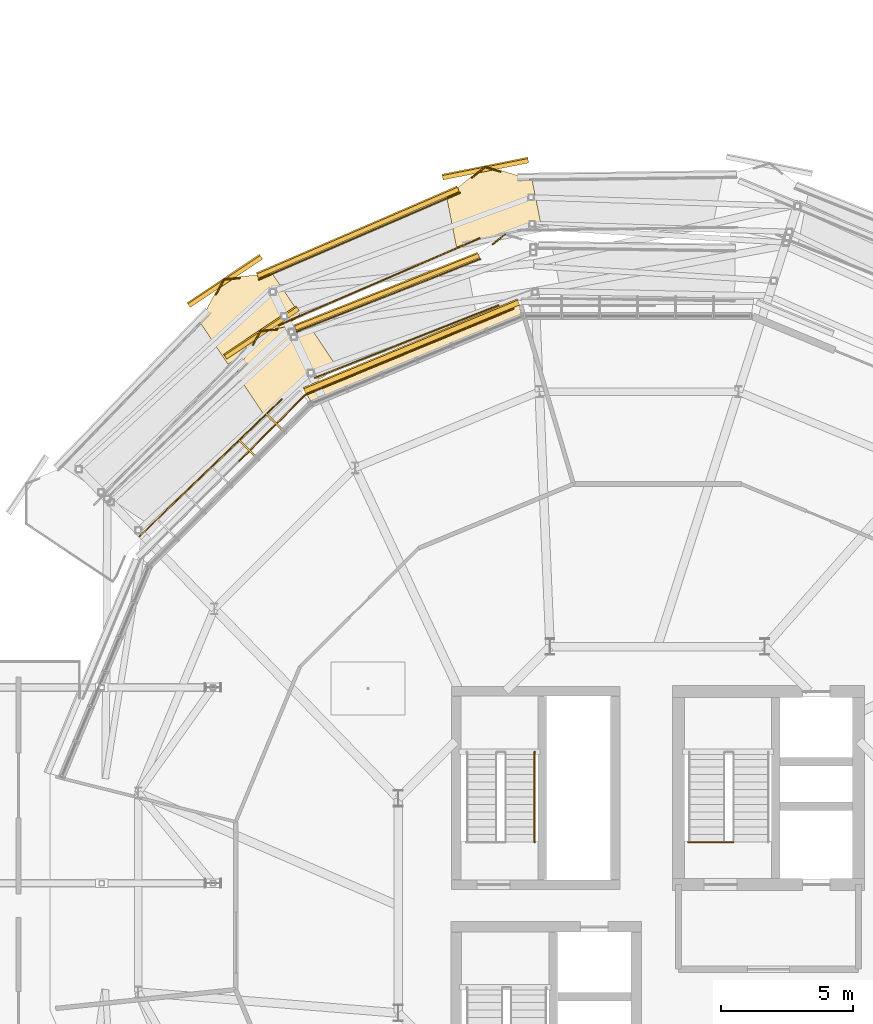
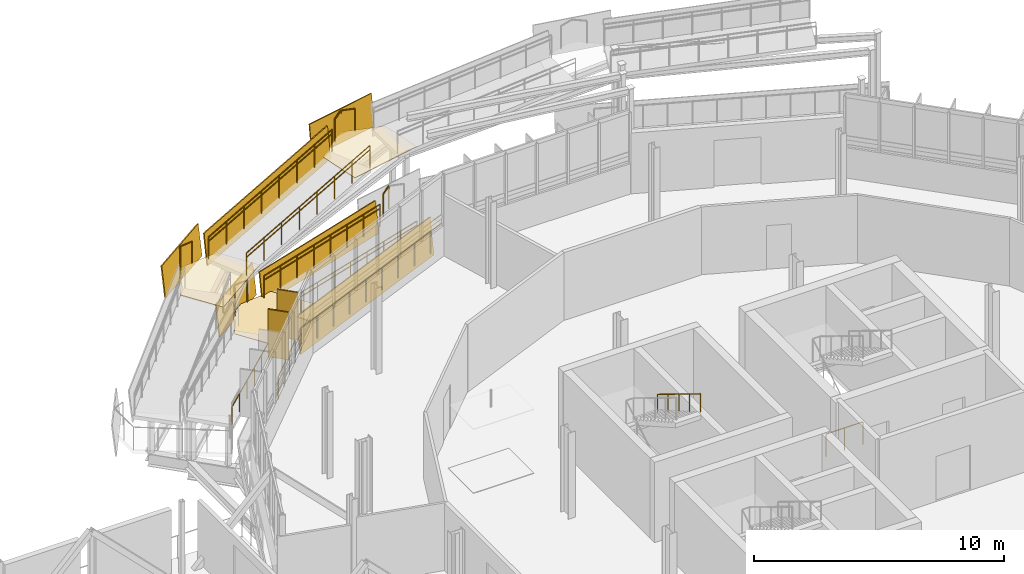
# One storey, part 103 of 107: 24 railings, 10 coverings, 2 shading devices.
"""IFC4 building model written with IfcOpenShell, lengths in metres."""

from ifc_helpers import new_model, si_unit, derived_unit, direction, frame, origin, origin_2d, place, context, subcontext, project, spatial, polyline, rectangle, circle, outline, extrude, material, layer, layer_set, type_object, element, save


model = new_model("IFC4")

# Units and contexts
model_context = context("Model", 3, precision=1e-05, world=origin(), true_north=direction((0.0, 1.0)))
body_context = subcontext(model_context, "Body", "Model", "MODEL_VIEW")
ifc_project = project(units=[si_unit("LENGTHUNIT", "METRE"), si_unit("AREAUNIT", "SQUARE_METRE"), si_unit("VOLUMEUNIT", "CUBIC_METRE"), si_unit("PLANEANGLEUNIT", "RADIAN"), si_unit("MASSUNIT", "GRAM", prefix="KILO"), derived_unit("THERMALTRANSMITTANCEUNIT", [(si_unit("MASSUNIT", "GRAM", prefix="KILO"), 1), (si_unit("TIMEUNIT", "SECOND"), -3), (si_unit("THERMODYNAMICTEMPERATUREUNIT", "KELVIN"), -1)])], contexts=[model_context])

# Site, building, storey
site_placement = place(None, origin())
site = spatial("IfcSite", under=ifc_project, at=site_placement, CompositionType="ELEMENT")
building_placement = place(site_placement, origin())
building = spatial("IfcBuilding", under=site, at=building_placement, Name="Makaiwela Harbour Ferry Terminal", CompositionType="ELEMENT")
storey_placement = place(building_placement, frame((0.0, 0.0, 9.60009765625)))
storey = spatial("IfcBuildingStorey", under=building, at=storey_placement, Name="L02", CompositionType="ELEMENT", Elevation=9.60009765625)

# Coverings
ifc_material_1 = material(Name="White glazed marine ceramic rainscreen tile", Category="masonry")
ifc_layer_1 = layer(ifc_material_1, 0.054931640625)
ifc_layer_set_1 = layer_set([ifc_layer_1], Name="White glazed marine ceramic rainscreen tile")
covering_type_1 = type_object("IfcCoveringType", Name="ENV-CLD-CERAMIC", PredefinedType="CLADDING", material=ifc_layer_set_1)
covering_1_placement = place(storey_placement, frame((32.594970703125, 90.3076171875, -0.239990234375), z_axis=(0.380393939272, -0.918368568839, 0.109085391934), x_axis=(-0.923881967269, -0.382677554288, 5.78392e-07)))
element("IfcCovering", 1, at=covering_1_placement, inside=storey, type_object=covering_type_1, Name="Ceramic Spandrel Facet CLD-0051", PredefinedType="CLADDING", context=body_context, shape_type="SweptSolid", body=[
    extrude(outline(polyline([(0.0, 0.0), (8.757662857655045, 5.551115123125783e-17), (8.75748688879674, -1.770570789768953), (4.958826261080342e-05, -1.7705809811751585), (0.0, 0.0)])), origin(), (0.0, 0.0, -1.0), 0.054931640625),
])
covering_2_placement = place(storey_placement, frame((0.0, 0.0, 1.47998046875)))
element("IfcCovering", 2, at=covering_2_placement, inside=storey, type_object=covering_type_1, Name="Ceramic Ring Sill Cap CLD-0052", PredefinedType="CLADDING", context=body_context, shape_type="SweptSolid", body=[
    extrude(outline(polyline([(32.52099609375, 90.486083984375), (24.43017578125, 87.134765625), (24.743896484375, 86.580078125), (32.69140625, 89.871826171875), (32.52099609375, 90.486083984375)])), origin(), (0.0, 0.0, 1.0), 0.054931640625),
])
covering_3_placement = place(storey_placement, frame((31.08251953125, 92.093505859375, 0.260009765625), z_axis=(0.373303520821, -0.921178500573, 0.109884718796), x_axis=(-0.92709995519, -0.366139907699, 0.080170075946)))
element("IfcCovering", 3, at=covering_3_placement, inside=storey, type_object=covering_type_1, Name="Coiled Ramp Ceramic Fascia CLD-R0039", PredefinedType="CLADDING", context=body_context, shape_type="SweptSolid", body=[
    extrude(outline(polyline([(0.0, 0.0), (7.482434547766983, 0.0), (7.604123644598643, -1.5244180263675333), (0.12158013443330902, -1.5242083330145613), (0.0, 0.0)])), origin(), (0.0, 0.0, -1.0), 0.054931640625),
])
for number, where, z_axis, x_axis, name in (
    (4, (24.2685546875, 90.08935546875, 0.85986328125), (0.552193027117, -0.826432842635, 0.109961890748), (-0.831474863772, -0.55556237355, -3.361495e-06), "Coiled Ramp Ceramic Fascia CLD-R0040"),
    (5, (22.885986328125, 92.0390625, 2.059814453125), (0.552193027117, -0.826432842635, 0.109961890748), (-0.831474863772, -0.55556237355, -3.361495e-06), "Coiled Ramp Ceramic Fascia CLD-R0044"),
):
    element("IfcCovering", number, at=place(storey_placement, frame(where, z_axis=z_axis, x_axis=x_axis)), inside=storey, type_object=covering_type_1, Name=name, PredefinedType="CLADDING", context=body_context, shape_type="SweptSolid", body=[
        extrude(outline(polyline([(0.0, 0.0), (3.300102397287792, 2.7755575615628914e-17), (3.300126006690987, -1.52930462753456), (0.00015924474830051368, -1.529282306076568), (0.0, 0.0)])), origin(), (0.0, 0.0, -1.0), 0.054931640625),
    ])
covering_4_placement = place(storey_placement, frame((22.72216796875, 91.319091796875, 2.059814453125), z_axis=(0.386970710269, -0.915501624416, 0.11004746742), x_axis=(0.915527801187, 0.395684982895, 0.072403311841)))
element("IfcCovering", 6, at=covering_4_placement, inside=storey, type_object=covering_type_1, Name="Coiled Ramp Ceramic Fascia CLD-R0045", PredefinedType="CLADDING", context=body_context, shape_type="SweptSolid", body=[
    extrude(outline(polyline([(0.0, 0.0), (8.288262525492915, 0.0), (8.398446247164728, 1.525334102071048), (0.11018372167181326, 1.5253341020710482), (0.0, 0.0)])), origin(), (0.0, 0.0, -1.0), 0.054931640625),
])
covering_5_placement = place(storey_placement, frame((32.939208984375, 95.674072265625, 2.659912109375), z_axis=(0.193910717395, -0.974848077551, 0.109862911737), x_axis=(-0.98078501504, -0.195091656081, 0.0)))
element("IfcCovering", 7, at=covering_5_placement, inside=storey, type_object=covering_type_1, Name="Coiled Ramp Ceramic Fascia CLD-R0046", PredefinedType="CLADDING", context=body_context, shape_type="SweptSolid", body=[
    extrude(outline(polyline([(0.0, 0.0), (3.299981357781899, -1.3877787807814457e-17), (3.2999174720790077, -1.52927662591745), (-6.388570289143913e-05, -1.52927662591745), (0.0, 0.0)])), origin(), (0.0, 0.0, -1.0), 0.054931640625),
])

# Shading devices
ifc_material_2 = material(Name="Thermally modified Accoya timber and anodised aluminium", Category="wood")
ifc_layer_2 = layer(ifc_material_2, 0.06005859375)
ifc_layer_set_2 = layer_set([ifc_layer_2], Name="Thermally modified Accoya timber and anodised aluminium")
shading_device_type = type_object("IfcShadingDeviceType", Name="ENV-FIN-850", PredefinedType="USERDEFINED", material=ifc_layer_set_2)
for number, where, z_axis, x_axis, name in (
    (8, (23.301025390625, 85.9140625, 1.609375), (0.0, 0.0, 1.0), (-0.707106781187, 0.707106781187, 0.0), "Vertical Solar Fin SFN-0051"),
    (9, (22.287109375, 84.900390625, 1.609375), (0.0, 0.0, 1.0), (-0.707106781187, 0.707106781187, 0.0), "Vertical Solar Fin SFN-0052"),
):
    element("IfcShadingDevice", number, at=place(storey_placement, frame(where, z_axis=z_axis, x_axis=x_axis)), inside=storey, type_object=shading_device_type, Name=name, ObjectType="SOLAR FIN", PredefinedType="USERDEFINED", context=body_context, shape_type="SweptSolid", body=[
        extrude(rectangle(XDim=0.85009765625, YDim=0.06005859375, at=origin_2d()), origin(), (0.0, 0.0, 1.0), 2.320068359375),
    ])

# Coverings
ifc_material_3 = material(Name="Honed coral-aggregate epoxy terrazzo flooring", Category="concrete")
ifc_layer_3 = layer(ifc_material_3, 0.02490234375)
ifc_layer_set_3 = layer_set([ifc_layer_3], Name="Honed coral-aggregate epoxy terrazzo flooring")
covering_type_2 = type_object("IfcCoveringType", Name="INT-COV-FLR", PredefinedType="FLOORING", material=ifc_layer_set_3)
covering_6_placement = place(storey_placement, frame((0.0, 0.0, 1.199951171875)))
element("IfcCovering", 10, at=covering_6_placement, inside=storey, type_object=covering_type_2, Name="Ramp Landing Terrazzo RMP-COIL-L02-LI2", PredefinedType="FLOORING", context=body_context, shape_type="SweptSolid", body=[
    extrude(outline(polyline([(23.53076171875, 86.485107421875), (24.226806640625, 87.180908203125), (24.226806640625, 87.18115234375), (24.22705078125, 87.181396484375), (24.227294921875, 87.181396484375), (24.227294921875, 87.181396484375), (25.13671875, 87.55810546875), (25.705810546875, 87.938232421875), (24.6279296875, 89.551513671875), (22.772705078125, 89.358154296875), (21.884033203125, 87.718017578125), (22.9619140625, 86.10498046875), (23.53076171875, 86.485107421875)])), origin(), (0.0, 0.0, 1.0), 0.02490234375),
])
covering_7_placement = place(storey_placement, frame((0.0, 0.0, 2.39990234375)))
element("IfcCovering", 11, at=covering_7_placement, inside=storey, type_object=covering_type_2, Name="Ramp Landing Terrazzo RMP-COIL-L02-LO1", PredefinedType="FLOORING", context=body_context, shape_type="SweptSolid", body=[
    extrude(outline(polyline([(24.317626953125, 89.896240234375), (23.245361328125, 91.5009765625), (21.39013671875, 91.3076171875), (20.50146484375, 89.66748046875), (21.57373046875, 88.06298828125), (24.317626953125, 89.896240234375)])), origin(), (0.0, 0.0, 1.0), 0.02490234375),
])
covering_8_placement = place(storey_placement, frame((0.0, 0.0, 3.0)))
element("IfcCovering", 12, at=covering_8_placement, inside=storey, type_object=covering_type_2, Name="Ramp Landing Terrazzo RMP-COIL-L02-LO2", PredefinedType="FLOORING", context=body_context, shape_type="SweptSolid", body=[
    extrude(outline(polyline([(33.44189453125, 93.146484375), (33.0654296875, 95.03955078125), (31.27734375, 95.57080078125), (29.828857421875, 94.395751953125), (30.205322265625, 92.502685546875), (33.44189453125, 93.146484375)])), origin(), (0.0, 0.0, 1.0), 0.02490234375),
])

# Railings
ifc_material_4 = material(Name="Marine grade 316L brushed stainless steel", Category="steel")
railing_type_1 = type_object("IfcRailingType", Name="INT-RL-GRD110", PredefinedType="GUARDRAIL", material=ifc_material_4)
railing_1_placement = place(storey_placement, frame((38.969970703125, 70.0, 0.0)))
element("IfcRailing", 13, at=railing_1_placement, inside=storey, type_object=railing_type_1, Name="Stair top well guardrail RL-0006", PredefinedType="GUARDRAIL", context=body_context, shape_type="SweptSolid", body=[
    extrude(circle(Radius=0.02392578125, at=origin_2d()), frame((0.0, 0.0, 1.09619140625), z_axis=(1.0, 0.0, 0.0), x_axis=(0.0, 1.0, 0.0)), (0.0, 0.0, 1.0), 1.696044921875),
    extrude(circle(Radius=0.02099609375, at=origin_2d()), origin(), (0.0, 0.0, 1.0), 1.072021484375),
    extrude(circle(Radius=0.02099609375, at=origin_2d()), frame((0.84814453125, 0.0, 0.0)), (0.0, 0.0, 1.0), 1.072021484375),
    extrude(circle(Radius=0.02099609375, at=origin_2d()), frame((1.696044921875, 0.0, 0.0)), (0.0, 0.0, 1.0), 1.072021484375),
])
for number, where, name in (
    (14, (31.794189453125, 90.2919921875, 0.599853515625), "Ramp guardrail RL-0169"),
    (15, (31.103515625, 92.04052734375, 0.599853515625), "Ramp guardrail RL-0171"),
):
    element("IfcRailing", number, at=place(storey_placement, frame(where)), inside=storey, type_object=railing_type_1, Name=name, PredefinedType="GUARDRAIL", context=body_context, shape_type="SweptSolid", body=[
        extrude(circle(Radius=0.02392578125, at=origin_2d()), frame((0.0, 0.0, 1.09619140625), z_axis=(-0.927092733323, -0.366151708783, 0.080199688129), x_axis=(0.367334961916, -0.930088719292, 0.0)), (0.0, 0.0, 1.0), 7.482421875),
        extrude(circle(Radius=0.02099609375, at=origin_2d()), origin(), (0.0, 0.0, 1.0), 1.072021484375),
        extrude(circle(Radius=0.02099609375, at=origin_2d()), frame((-0.990966796875, -0.391357421875, 0.085693359375)), (0.0, 0.0, 1.0), 1.072021484375),
        extrude(circle(Radius=0.02099609375, at=origin_2d()), frame((-1.98193359375, -0.78271484375, 0.17138671875)), (0.0, 0.0, 1.0), 1.072021484375),
        extrude(circle(Radius=0.02099609375, at=origin_2d()), frame((-2.972900390625, -1.174072265625, 0.257080078125)), (0.0, 0.0, 1.0), 1.072021484375),
        extrude(circle(Radius=0.02099609375, at=origin_2d()), frame((-3.964111328125, -1.565673828125, 0.343017578125)), (0.0, 0.0, 1.0), 1.072021484375),
        extrude(circle(Radius=0.02099609375, at=origin_2d()), frame((-4.955078125, -1.95703125, 0.4287109375)), (0.0, 0.0, 1.0), 1.072021484375),
        extrude(circle(Radius=0.02099609375, at=origin_2d()), frame((-5.946044921875, -2.348388671875, 0.514404296875)), (0.0, 0.0, 1.0), 1.072021484375),
        extrude(circle(Radius=0.02099609375, at=origin_2d()), frame((-6.93701171875, -2.73974609375, 0.60009765625)), (0.0, 0.0, 1.0), 1.072021484375),
    ])
railing_2_placement = place(storey_placement, frame((23.490478515625, 89.541259765625, 2.39990234375)))
element("IfcRailing", 16, at=railing_2_placement, inside=storey, type_object=railing_type_1, Name="Ramp guardrail RL-0181", PredefinedType="GUARDRAIL", context=body_context, shape_type="SweptSolid", body=[
    extrude(circle(Radius=0.02392578125, at=origin_2d()), frame((0.0, 0.0, 1.09619140625), z_axis=(0.915532567266, 0.395674312338, 0.072401359319), x_axis=(-0.396715461206, 0.917941633678, 0.0)), (0.0, 0.0, 1.0), 8.28857421875),
    extrude(circle(Radius=0.02099609375, at=origin_2d()), origin(), (0.0, 0.0, 1.0), 1.072021484375),
    extrude(circle(Radius=0.02099609375, at=origin_2d()), frame((1.083984375, 0.468505859375, 0.085693359375)), (0.0, 0.0, 1.0), 1.072021484375),
    extrude(circle(Radius=0.02099609375, at=origin_2d()), frame((2.168212890625, 0.93701171875, 0.17138671875)), (0.0, 0.0, 1.0), 1.072021484375),
    extrude(circle(Radius=0.02099609375, at=origin_2d()), frame((3.252197265625, 1.405517578125, 0.257080078125)), (0.0, 0.0, 1.0), 1.072021484375),
    extrude(circle(Radius=0.02099609375, at=origin_2d()), frame((4.336181640625, 1.8740234375, 0.343017578125)), (0.0, 0.0, 1.0), 1.072021484375),
    extrude(circle(Radius=0.02099609375, at=origin_2d()), frame((5.420166015625, 2.342529296875, 0.4287109375)), (0.0, 0.0, 1.0), 1.072021484375),
    extrude(circle(Radius=0.02099609375, at=origin_2d()), frame((6.50439453125, 2.81103515625, 0.514404296875)), (0.0, 0.0, 1.0), 1.072021484375),
    extrude(circle(Radius=0.02099609375, at=origin_2d()), frame((7.58837890625, 3.279541015625, 0.60009765625)), (0.0, 0.0, 1.0), 1.072021484375),
])
railing_3_placement = place(storey_placement, frame((22.74462890625, 91.26708984375, 2.39990234375)))
element("IfcRailing", 17, at=railing_3_placement, inside=storey, type_object=railing_type_1, Name="Ramp guardrail RL-0183", PredefinedType="GUARDRAIL", context=body_context, shape_type="SweptSolid", body=[
    extrude(circle(Radius=0.02392578125, at=origin_2d()), frame((0.0, 0.0, 1.09619140625), z_axis=(0.915543237352, 0.395649467992, 0.072402203121), x_axis=(-0.396690575849, 0.917952388217, 0.0)), (0.0, 0.0, 1.0), 8.288330078125),
    extrude(circle(Radius=0.02099609375, at=origin_2d()), origin(), (0.0, 0.0, 1.0), 1.072021484375),
    extrude(circle(Radius=0.02099609375, at=origin_2d()), frame((1.083984375, 0.468505859375, 0.085693359375)), (0.0, 0.0, 1.0), 1.072021484375),
    extrude(circle(Radius=0.02099609375, at=origin_2d()), frame((2.168212890625, 0.93701171875, 0.17138671875)), (0.0, 0.0, 1.0), 1.072021484375),
    extrude(circle(Radius=0.02099609375, at=origin_2d()), frame((3.252197265625, 1.405517578125, 0.257080078125)), (0.0, 0.0, 1.0), 1.072021484375),
    extrude(circle(Radius=0.02099609375, at=origin_2d()), frame((4.336181640625, 1.873779296875, 0.343017578125)), (0.0, 0.0, 1.0), 1.072021484375),
    extrude(circle(Radius=0.02099609375, at=origin_2d()), frame((5.420166015625, 2.34228515625, 0.4287109375)), (0.0, 0.0, 1.0), 1.072021484375),
    extrude(circle(Radius=0.02099609375, at=origin_2d()), frame((6.50439453125, 2.810791015625, 0.514404296875)), (0.0, 0.0, 1.0), 1.072021484375),
    extrude(circle(Radius=0.02099609375, at=origin_2d()), frame((7.58837890625, 3.279296875, 0.60009765625)), (0.0, 0.0, 1.0), 1.072021484375),
])
railing_4_placement = place(storey_placement, frame((21.997314453125, 84.41015625, 0.0)))
element("IfcRailing", 18, at=railing_4_placement, inside=storey, type_object=railing_type_1, Name="Deck edge guardrail RL-0459", PredefinedType="GUARDRAIL", context=body_context, shape_type="SweptSolid", body=[
    extrude(circle(Radius=0.02392578125, at=origin_2d()), frame((0.0, 0.0, 1.09619140625), z_axis=(0.707037568954, 0.707175986645, 0.0), x_axis=(-0.707175986645, 0.707037568954, 0.0)), (0.0, 0.0, 1.0), 1.763916015625),
    extrude(circle(Radius=0.02099609375, at=origin_2d()), origin(), (0.0, 0.0, 1.0), 1.072021484375),
    extrude(circle(Radius=0.02099609375, at=origin_2d()), frame((0.62353515625, 0.62353515625, 0.0)), (0.0, 0.0, 1.0), 1.072021484375),
    extrude(circle(Radius=0.02099609375, at=origin_2d()), frame((1.2470703125, 1.247314453125, 0.0)), (0.0, 0.0, 1.0), 1.072021484375),
])
railing_5_placement = place(storey_placement, frame((23.244384765625, 85.657470703125, 0.0)))
element("IfcRailing", 19, at=railing_5_placement, inside=storey, type_object=railing_type_1, Name="Deck edge guardrail RL-0460", PredefinedType="GUARDRAIL", context=body_context, shape_type="SweptSolid", body=[
    extrude(circle(Radius=0.02392578125, at=origin_2d()), frame((0.0, 0.0, 1.09619140625), z_axis=(0.707106781187, 0.707106781187, 0.0), x_axis=(-0.707106781187, 0.707106781187, 0.0)), (0.0, 0.0, 1.0), 1.763916015625),
    extrude(circle(Radius=0.02099609375, at=origin_2d()), origin(), (0.0, 0.0, 1.0), 1.072021484375),
    extrude(circle(Radius=0.02099609375, at=origin_2d()), frame((0.62353515625, 0.62353515625, 0.0)), (0.0, 0.0, 1.0), 1.072021484375),
    extrude(circle(Radius=0.02099609375, at=origin_2d()), frame((1.247314453125, 1.247314453125, 0.0)), (0.0, 0.0, 1.0), 1.072021484375),
])
for number, where, name in (
    (20, (24.49169921875, 86.90478515625, 0.0), "Deck edge guardrail RL-0461"),
    (21, (26.455810546875, 87.71826171875, 0.0), "Deck edge guardrail RL-0462"),
):
    element("IfcRailing", number, at=place(storey_placement, frame(where)), inside=storey, type_object=railing_type_1, Name=name, PredefinedType="GUARDRAIL", context=body_context, shape_type="SweptSolid", body=[
        extrude(circle(Radius=0.02392578125, at=origin_2d()), frame((0.0, 0.0, 1.09619140625), z_axis=(0.923893665929, 0.382649309494, 0.0), x_axis=(-0.382649309494, 0.923893665929, 0.0)), (0.0, 0.0, 1.0), 2.1259765625),
        extrude(circle(Radius=0.02099609375, at=origin_2d()), origin(), (0.0, 0.0, 1.0), 1.072021484375),
        extrude(circle(Radius=0.02099609375, at=origin_2d()), frame((0.98193359375, 0.40673828125, 0.0)), (0.0, 0.0, 1.0), 1.072021484375),
        extrude(circle(Radius=0.02099609375, at=origin_2d()), frame((1.964111328125, 0.8134765625, 0.0)), (0.0, 0.0, 1.0), 1.072021484375),
    ])
railing_6_placement = place(storey_placement, frame((28.419921875, 88.53173828125, 0.0)))
element("IfcRailing", 22, at=railing_6_placement, inside=storey, type_object=railing_type_1, Name="Deck edge guardrail RL-0463", PredefinedType="GUARDRAIL", context=body_context, shape_type="SweptSolid", body=[
    extrude(circle(Radius=0.02392578125, at=origin_2d()), frame((0.0, 0.0, 1.09619140625), z_axis=(0.923876848216, 0.382689912762, 0.0), x_axis=(-0.382689912762, 0.923876848216, 0.0)), (0.0, 0.0, 1.0), 2.125732421875),
    extrude(circle(Radius=0.02099609375, at=origin_2d()), origin(), (0.0, 0.0, 1.0), 1.072021484375),
    extrude(circle(Radius=0.02099609375, at=origin_2d()), frame((0.98193359375, 0.40673828125, 0.0)), (0.0, 0.0, 1.0), 1.072021484375),
    extrude(circle(Radius=0.02099609375, at=origin_2d()), frame((1.9638671875, 0.8134765625, 0.0)), (0.0, 0.0, 1.0), 1.072021484375),
])
railing_7_placement = place(storey_placement, frame((30.3837890625, 89.34521484375, 0.0)))
element("IfcRailing", 23, at=railing_7_placement, inside=storey, type_object=railing_type_1, Name="Deck edge guardrail RL-0464", PredefinedType="GUARDRAIL", context=body_context, shape_type="SweptSolid", body=[
    extrude(circle(Radius=0.02392578125, at=origin_2d()), frame((0.0, 0.0, 1.09619140625), z_axis=(0.923893665929, 0.382649309494, 0.0), x_axis=(-0.382649309494, 0.923893665929, 0.0)), (0.0, 0.0, 1.0), 2.1259765625),
    extrude(circle(Radius=0.02099609375, at=origin_2d()), origin(), (0.0, 0.0, 1.0), 1.072021484375),
    extrude(circle(Radius=0.02099609375, at=origin_2d()), frame((0.98193359375, 0.40673828125, 0.0)), (0.0, 0.0, 1.0), 1.072021484375),
    extrude(circle(Radius=0.02099609375, at=origin_2d()), frame((1.964111328125, 0.8134765625, 0.0)), (0.0, 0.0, 1.0), 1.072021484375),
])
railing_8_placement = place(storey_placement, frame((31.578369140625, 92.599853515625, 0.599853515625)))
element("IfcRailing", 24, at=railing_8_placement, inside=storey, type_object=railing_type_1, Name="Deck edge guardrail RL-0617", PredefinedType="GUARDRAIL", context=body_context, shape_type="SweptSolid", body=[
    extrude(circle(Radius=0.02392578125, at=origin_2d()), frame((0.0, 0.0, 1.09619140625), z_axis=(0.776539324431, 0.630068788, 0.0), x_axis=(-0.630068788, 0.776539324431, 0.0)), (0.0, 0.0, 1.0), 0.5966796875),
    extrude(circle(Radius=0.02099609375, at=origin_2d()), origin(), (0.0, 0.0, 1.0), 1.072021484375),
    extrude(circle(Radius=0.02099609375, at=origin_2d()), frame((0.46337890625, 0.3759765625, 0.0)), (0.0, 0.0, 1.0), 1.072021484375),
])
railing_9_placement = place(storey_placement, frame((22.517578125, 88.792724609375, 1.199951171875)))
element("IfcRailing", 25, at=railing_9_placement, inside=storey, type_object=railing_type_1, Name="Deck edge guardrail RL-0619", PredefinedType="GUARDRAIL", context=body_context, shape_type="SweptSolid", body=[
    extrude(circle(Radius=0.02392578125, at=origin_2d()), frame((0.0, 0.0, 1.09619140625), z_axis=(0.476031948168, 0.879427987003, 0.0), x_axis=(-0.879427987003, 0.476031948168, 0.0)), (0.0, 0.0, 1.0), 0.594970703125),
    extrude(circle(Radius=0.02099609375, at=origin_2d()), origin(), (0.0, 0.0, 1.0), 1.072021484375),
    extrude(circle(Radius=0.02099609375, at=origin_2d()), frame((0.283203125, 0.523193359375, 0.0)), (0.0, 0.0, 1.0), 1.072021484375),
])
railing_10_placement = place(storey_placement, frame((22.80078125, 89.31591796875, 1.199951171875)))
element("IfcRailing", 26, at=railing_10_placement, inside=storey, type_object=railing_type_1, Name="Deck edge guardrail RL-0620", PredefinedType="GUARDRAIL", context=body_context, shape_type="SweptSolid", body=[
    extrude(circle(Radius=0.02392578125, at=origin_2d()), frame((0.0, 0.0, 1.09619140625), z_axis=(0.994628244551, 0.103511618385, 0.0), x_axis=(-0.103511618385, 0.994628244551, 0.0)), (0.0, 0.0, 1.0), 0.63916015625),
    extrude(circle(Radius=0.02099609375, at=origin_2d()), origin(), (0.0, 0.0, 1.0), 1.072021484375),
    extrude(circle(Radius=0.02099609375, at=origin_2d()), frame((0.6357421875, 0.066162109375, 0.0)), (0.0, 0.0, 1.0), 1.072021484375),
])
railing_11_placement = place(storey_placement, frame((21.114013671875, 90.703369140625, 2.39990234375)))
element("IfcRailing", 27, at=railing_11_placement, inside=storey, type_object=railing_type_1, Name="Deck edge guardrail RL-0627", PredefinedType="GUARDRAIL", context=body_context, shape_type="SweptSolid", body=[
    extrude(circle(Radius=0.02392578125, at=origin_2d()), frame((0.0, 0.0, 1.09619140625), z_axis=(0.476307758046, 0.879278635943, 0.0), x_axis=(-0.879278635943, 0.476307758046, 0.0)), (0.0, 0.0, 1.0), 0.63916015625),
    extrude(circle(Radius=0.02099609375, at=origin_2d()), origin(), (0.0, 0.0, 1.0), 1.072021484375),
    extrude(circle(Radius=0.02099609375, at=origin_2d()), frame((0.304443359375, 0.56201171875, 0.0)), (0.0, 0.0, 1.0), 1.072021484375),
])
railing_12_placement = place(storey_placement, frame((21.41845703125, 91.265380859375, 2.39990234375)))
element("IfcRailing", 28, at=railing_12_placement, inside=storey, type_object=railing_type_1, Name="Deck edge guardrail RL-0628", PredefinedType="GUARDRAIL", context=body_context, shape_type="SweptSolid", body=[
    extrude(circle(Radius=0.02392578125, at=origin_2d()), frame((0.0, 0.0, 1.09619140625), z_axis=(0.994607885203, 0.103707061922, 0.0), x_axis=(-0.103707061922, 0.994607885203, 0.0)), (0.0, 0.0, 1.0), 0.597900390625),
    extrude(circle(Radius=0.02099609375, at=origin_2d()), origin(), (0.0, 0.0, 1.0), 1.072021484375),
    extrude(circle(Radius=0.02099609375, at=origin_2d()), frame((0.5947265625, 0.06201171875, 0.0)), (0.0, 0.0, 1.0), 1.072021484375),
])
railing_13_placement = place(storey_placement, frame((30.792236328125, 95.119384765625, 3.0)))
element("IfcRailing", 29, at=railing_13_placement, inside=storey, type_object=railing_type_1, Name="Deck edge guardrail RL-0629", PredefinedType="GUARDRAIL", context=body_context, shape_type="SweptSolid", body=[
    extrude(circle(Radius=0.02392578125, at=origin_2d()), frame((0.0, 0.0, 1.09619140625), z_axis=(0.77662915087, 0.629958063699, 0.0), x_axis=(-0.629958063699, 0.77662915087, 0.0)), (0.0, 0.0, 1.0), 0.637451171875),
    extrude(circle(Radius=0.02099609375, at=origin_2d()), origin(), (0.0, 0.0, 1.0), 1.072021484375),
    extrude(circle(Radius=0.02099609375, at=origin_2d()), frame((0.4951171875, 0.401611328125, 0.0)), (0.0, 0.0, 1.0), 1.072021484375),
])
railing_14_placement = place(storey_placement, frame((31.287353515625, 95.52099609375, 3.0)))
element("IfcRailing", 30, at=railing_14_placement, inside=storey, type_object=railing_type_1, Name="Deck edge guardrail RL-0630", PredefinedType="GUARDRAIL", context=body_context, shape_type="SweptSolid", body=[
    extrude(circle(Radius=0.02392578125, at=origin_2d()), frame((0.0, 0.0, 1.09619140625), z_axis=(0.958527364218, -0.28500051236, 0.0), x_axis=(0.28500051236, 0.958527364218, 0.0)), (0.0, 0.0, 1.0), 0.601318359375),
    extrude(circle(Radius=0.02099609375, at=origin_2d()), origin(), (0.0, 0.0, 1.0), 1.072021484375),
    extrude(circle(Radius=0.02099609375, at=origin_2d()), frame((0.576416015625, -0.17138671875, 0.0)), (0.0, 0.0, 1.0), 1.072021484375),
])
railing_type_2 = type_object("IfcRailingType", Name="INT-RL-HND090", PredefinedType="HANDRAIL", material=ifc_material_4)
railing_15_placement = place(storey_placement, frame((33.159912109375, 73.419921875, 2.099853515625)))
element("IfcRailing", 31, at=railing_15_placement, inside=storey, type_object=railing_type_2, Name="Stair upper handrail RL-0052", PredefinedType="HANDRAIL", context=body_context, shape_type="SweptSolid", body=[
    extrude(circle(Radius=0.02392578125, at=origin_2d()), frame((0.0, 0.0, 0.89111328125), z_axis=(0.0, -0.852155044755, 0.523289384279), x_axis=(1.0, 0.0, 0.0)), (0.0, 0.0, 1.0), 4.01318359375),
    extrude(circle(Radius=0.02099609375, at=origin_2d()), origin(), (0.0, 0.0, 1.0), 0.866943359375),
    extrude(circle(Radius=0.02099609375, at=origin_2d()), frame((0.0, -0.85498046875, 0.52490234375)), (0.0, 0.0, 1.0), 0.866943359375),
    extrude(circle(Radius=0.02099609375, at=origin_2d()), frame((0.0, -1.7099609375, 1.050048828125)), (0.0, 0.0, 1.0), 0.866943359375),
    extrude(circle(Radius=0.02099609375, at=origin_2d()), frame((0.0, -2.56494140625, 1.5751953125)), (0.0, 0.0, 1.0), 0.866943359375),
    extrude(circle(Radius=0.02099609375, at=origin_2d()), frame((0.0, -3.419921875, 2.10009765625)), (0.0, 0.0, 1.0), 0.866943359375),
])
for number, where, name in (
    (32, (31.794189453125, 90.2919921875, 0.599853515625), "Ramp handrail RL-0170"),
    (33, (31.103515625, 92.04052734375, 0.599853515625), "Ramp handrail RL-0172"),
):
    element("IfcRailing", number, at=place(storey_placement, frame(where)), inside=storey, type_object=railing_type_2, Name=name, PredefinedType="HANDRAIL", context=body_context, shape_type="SweptSolid", body=[
        extrude(circle(Radius=0.02392578125, at=origin_2d()), frame((0.0, 0.0, 0.89111328125), z_axis=(-0.927092733323, -0.366151708783, 0.080199688129), x_axis=(0.367334961916, -0.930088719292, 0.0)), (0.0, 0.0, 1.0), 7.482421875),
        extrude(circle(Radius=0.02099609375, at=origin_2d()), origin(), (0.0, 0.0, 1.0), 0.866943359375),
        extrude(circle(Radius=0.02099609375, at=origin_2d()), frame((-0.990966796875, -0.391357421875, 0.085693359375)), (0.0, 0.0, 1.0), 0.866943359375),
        extrude(circle(Radius=0.02099609375, at=origin_2d()), frame((-1.98193359375, -0.78271484375, 0.17138671875)), (0.0, 0.0, 1.0), 0.866943359375),
        extrude(circle(Radius=0.02099609375, at=origin_2d()), frame((-2.972900390625, -1.174072265625, 0.257080078125)), (0.0, 0.0, 1.0), 0.866943359375),
        extrude(circle(Radius=0.02099609375, at=origin_2d()), frame((-3.964111328125, -1.565673828125, 0.343017578125)), (0.0, 0.0, 1.0), 0.866943359375),
        extrude(circle(Radius=0.02099609375, at=origin_2d()), frame((-4.955078125, -1.95703125, 0.4287109375)), (0.0, 0.0, 1.0), 0.866943359375),
        extrude(circle(Radius=0.02099609375, at=origin_2d()), frame((-5.946044921875, -2.348388671875, 0.514404296875)), (0.0, 0.0, 1.0), 0.866943359375),
        extrude(circle(Radius=0.02099609375, at=origin_2d()), frame((-6.93701171875, -2.73974609375, 0.60009765625)), (0.0, 0.0, 1.0), 0.866943359375),
    ])
railing_16_placement = place(storey_placement, frame((23.59716796875, 86.741455078125, 1.199951171875)))
element("IfcRailing", 34, at=railing_16_placement, inside=storey, type_object=railing_type_2, Name="Ramp handrail RL-0174", PredefinedType="HANDRAIL", context=body_context, shape_type="SweptSolid", body=[
    extrude(circle(Radius=0.02392578125, at=origin_2d()), frame((0.0, 0.0, 0.89111328125), z_axis=(-0.717373822048, -0.692064338715, 0.08013582545), x_axis=(0.69429723106, -0.719688373494, 0.0)), (0.0, 0.0, 1.0), 7.4853515625),
    extrude(circle(Radius=0.02099609375, at=origin_2d()), origin(), (0.0, 0.0, 1.0), 0.866943359375),
    extrude(circle(Radius=0.02099609375, at=origin_2d()), frame((-0.76708984375, -0.739990234375, 0.085693359375)), (0.0, 0.0, 1.0), 0.866943359375),
    extrude(circle(Radius=0.02099609375, at=origin_2d()), frame((-1.5341796875, -1.480224609375, 0.17138671875)), (0.0, 0.0, 1.0), 0.866943359375),
    extrude(circle(Radius=0.02099609375, at=origin_2d()), frame((-2.30126953125, -2.22021484375, 0.257080078125)), (0.0, 0.0, 1.0), 0.866943359375),
    extrude(circle(Radius=0.02099609375, at=origin_2d()), frame((-3.068603515625, -2.960205078125, 0.3427734375)), (0.0, 0.0, 1.0), 0.866943359375),
    extrude(circle(Radius=0.02099609375, at=origin_2d()), frame((-3.835693359375, -3.7001953125, 0.428466796875)), (0.0, 0.0, 1.0), 0.866943359375),
    extrude(circle(Radius=0.02099609375, at=origin_2d()), frame((-4.602783203125, -4.4404296875, 0.51416015625)), (0.0, 0.0, 1.0), 0.866943359375),
    extrude(circle(Radius=0.02099609375, at=origin_2d()), frame((-5.369873046875, -5.180419921875, 0.599853515625)), (0.0, 0.0, 1.0), 0.866943359375),
])
railing_17_placement = place(storey_placement, frame((23.490478515625, 89.541259765625, 2.39990234375)))
element("IfcRailing", 35, at=railing_17_placement, inside=storey, type_object=railing_type_2, Name="Ramp handrail RL-0182", PredefinedType="HANDRAIL", context=body_context, shape_type="SweptSolid", body=[
    extrude(circle(Radius=0.02392578125, at=origin_2d()), frame((0.0, 0.0, 0.89111328125), z_axis=(0.915532567266, 0.395674312338, 0.072401359319), x_axis=(-0.396715461206, 0.917941633678, 0.0)), (0.0, 0.0, 1.0), 8.28857421875),
    extrude(circle(Radius=0.02099609375, at=origin_2d()), origin(), (0.0, 0.0, 1.0), 0.866943359375),
    extrude(circle(Radius=0.02099609375, at=origin_2d()), frame((1.083984375, 0.468505859375, 0.085693359375)), (0.0, 0.0, 1.0), 0.866943359375),
    extrude(circle(Radius=0.02099609375, at=origin_2d()), frame((2.168212890625, 0.93701171875, 0.17138671875)), (0.0, 0.0, 1.0), 0.866943359375),
    extrude(circle(Radius=0.02099609375, at=origin_2d()), frame((3.252197265625, 1.405517578125, 0.257080078125)), (0.0, 0.0, 1.0), 0.866943359375),
    extrude(circle(Radius=0.02099609375, at=origin_2d()), frame((4.336181640625, 1.8740234375, 0.343017578125)), (0.0, 0.0, 1.0), 0.866943359375),
    extrude(circle(Radius=0.02099609375, at=origin_2d()), frame((5.420166015625, 2.342529296875, 0.4287109375)), (0.0, 0.0, 1.0), 0.866943359375),
    extrude(circle(Radius=0.02099609375, at=origin_2d()), frame((6.50439453125, 2.81103515625, 0.514404296875)), (0.0, 0.0, 1.0), 0.866943359375),
    extrude(circle(Radius=0.02099609375, at=origin_2d()), frame((7.58837890625, 3.279541015625, 0.60009765625)), (0.0, 0.0, 1.0), 0.866943359375),
])
railing_18_placement = place(storey_placement, frame((22.74462890625, 91.26708984375, 2.39990234375)))
element("IfcRailing", 36, at=railing_18_placement, inside=storey, type_object=railing_type_2, Name="Ramp handrail RL-0184", PredefinedType="HANDRAIL", context=body_context, shape_type="SweptSolid", body=[
    extrude(circle(Radius=0.02392578125, at=origin_2d()), frame((0.0, 0.0, 0.89111328125), z_axis=(0.915543237352, 0.395649467992, 0.072402203121), x_axis=(-0.396690575849, 0.917952388217, 0.0)), (0.0, 0.0, 1.0), 8.288330078125),
    extrude(circle(Radius=0.02099609375, at=origin_2d()), origin(), (0.0, 0.0, 1.0), 0.866943359375),
    extrude(circle(Radius=0.02099609375, at=origin_2d()), frame((1.083984375, 0.468505859375, 0.085693359375)), (0.0, 0.0, 1.0), 0.866943359375),
    extrude(circle(Radius=0.02099609375, at=origin_2d()), frame((2.168212890625, 0.93701171875, 0.17138671875)), (0.0, 0.0, 1.0), 0.866943359375),
    extrude(circle(Radius=0.02099609375, at=origin_2d()), frame((3.252197265625, 1.405517578125, 0.257080078125)), (0.0, 0.0, 1.0), 0.866943359375),
    extrude(circle(Radius=0.02099609375, at=origin_2d()), frame((4.336181640625, 1.873779296875, 0.343017578125)), (0.0, 0.0, 1.0), 0.866943359375),
    extrude(circle(Radius=0.02099609375, at=origin_2d()), frame((5.420166015625, 2.34228515625, 0.4287109375)), (0.0, 0.0, 1.0), 0.866943359375),
    extrude(circle(Radius=0.02099609375, at=origin_2d()), frame((6.50439453125, 2.810791015625, 0.514404296875)), (0.0, 0.0, 1.0), 0.866943359375),
    extrude(circle(Radius=0.02099609375, at=origin_2d()), frame((7.58837890625, 3.279296875, 0.60009765625)), (0.0, 0.0, 1.0), 0.866943359375),
])

save(model, "model.ifc")
